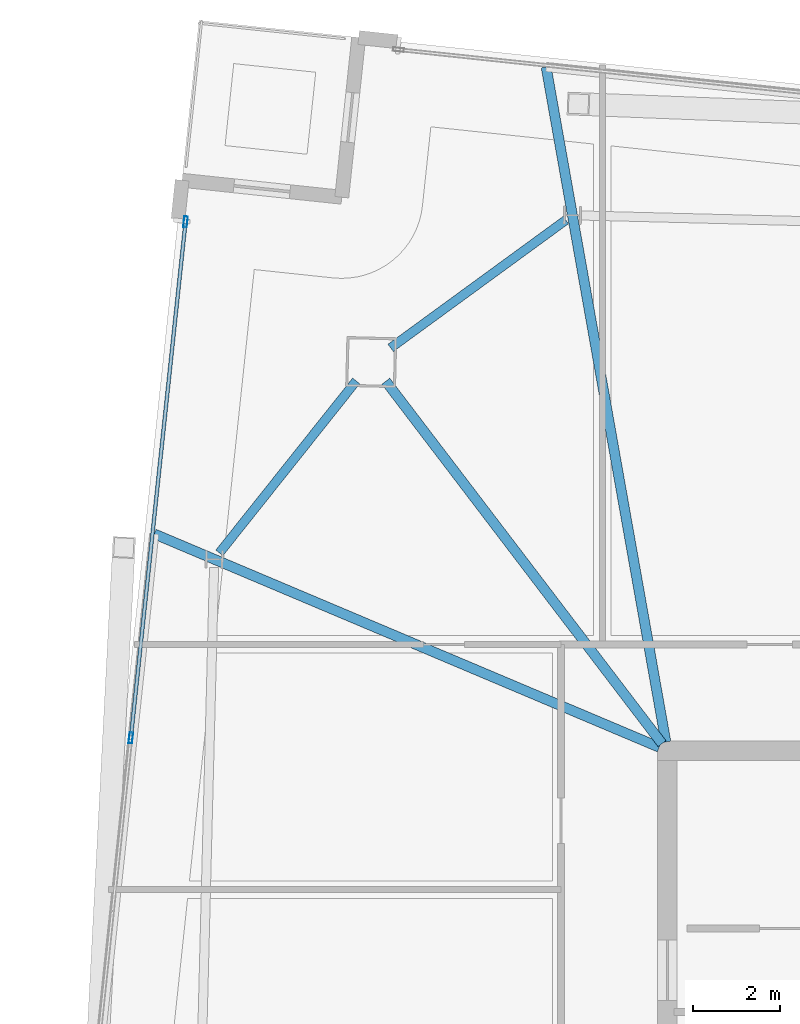
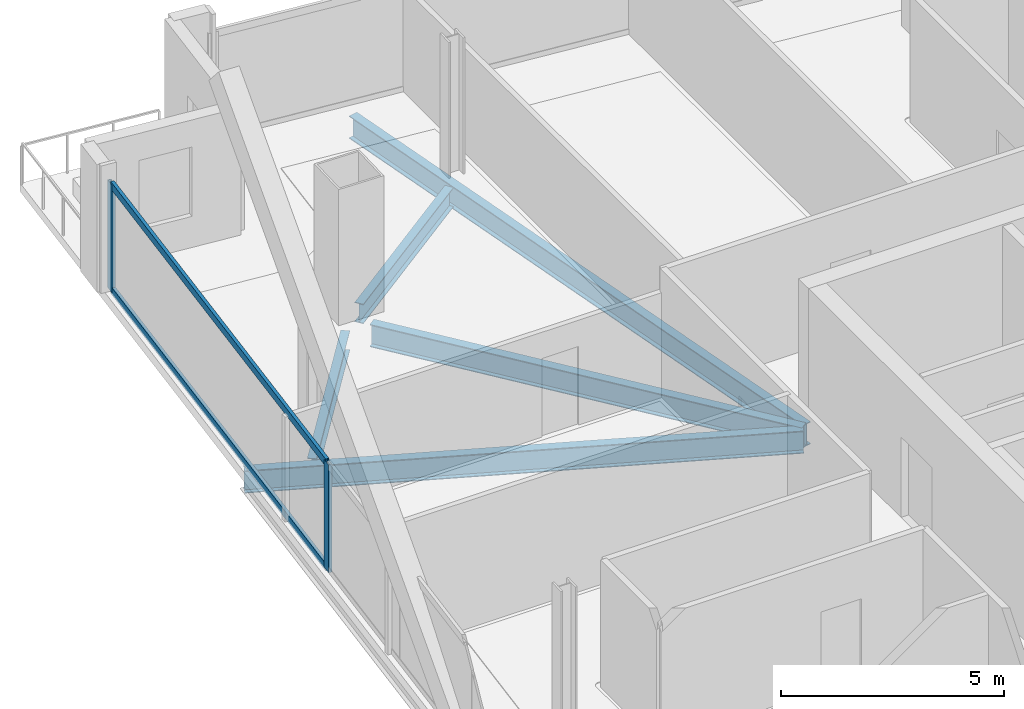
# One storey, part 12 of 24: 5 beams, 4 members, 1 element without a shape of its own.
"""IFC4 building model written with IfcOpenShell, lengths in metres."""

from ifc_helpers import new_model, si_unit, direction, frame, origin, origin_2d, place, context, subcontext, project, spatial, hollow_rectangle, i_section, extrude, material, material_profile, profile_set, type_object, element, aggregate, save


model = new_model("IFC4")

# Units and contexts
model_context = context("Model", 3, precision=1e-05, world=origin(), true_north=direction((0.0, 1.0)))
body_context = subcontext(model_context, "Body", "Model", "MODEL_VIEW")
ifc_project = project(units=[si_unit("LENGTHUNIT", "METRE"), si_unit("AREAUNIT", "SQUARE_METRE"), si_unit("VOLUMEUNIT", "CUBIC_METRE"), si_unit("PLANEANGLEUNIT", "RADIAN"), si_unit("MASSUNIT", "GRAM", prefix="KILO")], contexts=[model_context])

# Site, building, storey
site_placement = place(None, origin())
site = spatial("IfcSite", under=ifc_project, at=site_placement, CompositionType="ELEMENT")
building_placement = place(site_placement, origin())
building = spatial("IfcBuilding", under=site, at=building_placement, Name="Haldenkirk Collegiate Tower", CompositionType="ELEMENT")
storey_placement = place(building_placement, frame((0.0, 0.0, 310.199951171875)))
storey = spatial("IfcBuildingStorey", under=building, at=storey_placement, Name="L78", CompositionType="ELEMENT", Elevation=310.199951171875)

# Beams
ifc_material_1 = material(Name="Steel ASTM A992 Grade 50", Category="steel")
ifc_material_profile_1 = material_profile(ifc_material_1, i_section(OverallWidth=0.22998046875, OverallDepth=0.616943359375, WebThickness=0.01318359375, FlangeThickness=0.022216796875, at=origin_2d()), Name="W24X94")
ifc_profile_set_1 = profile_set([ifc_material_profile_1], Name="Steel ASTM A992 Grade 50")
beam_type_1 = type_object("IfcBeamType", Name="BM-GIRDER-W24X94", PredefinedType="BEAM", material=ifc_profile_set_1)
beam_1_placement = place(storey_placement, frame((20.510498046875, 42.514404296875, -0.568359375), z_axis=(0.606183308444, -0.79532496287, 0.0), x_axis=(0.79532496287, 0.606183308444, 0.0)))
element("IfcBeam", 1, at=beam_1_placement, inside=storey, type_object=beam_type_1, Name="L78 primary floor girder 03", PredefinedType="BEAM", context=body_context, shape_type="SweptSolid", body=[
    extrude(i_section(OverallWidth=0.22998046875, OverallDepth=0.616943359375, WebThickness=0.01318359375, FlangeThickness=0.022216796875, at=origin_2d()), origin(), (0.0, 0.0, 1.0), 10.50048828125),
])
beam_2_placement = place(storey_placement, frame((24.205078125, 49.755615234375, -0.568359375), z_axis=(0.174660773819, -0.984628668123, 0.0), x_axis=(0.984628668123, 0.174660773819, 0.0)))
element("IfcBeam", 2, at=beam_2_placement, inside=storey, type_object=beam_type_1, Name="L78 primary floor girder 10", PredefinedType="BEAM", context=body_context, shape_type="SweptSolid", body=[
    extrude(i_section(OverallWidth=0.22998046875, OverallDepth=0.616943359375, WebThickness=0.01318359375, FlangeThickness=0.022216796875, at=origin_2d()), origin(), (0.0, 0.0, 1.0), 15.796630859375),
])
beam_3_placement = place(storey_placement, frame((15.173828125, 38.99658203125, -0.568359375), z_axis=(0.921159975073, -0.389184147062, 0.0), x_axis=(0.389184147062, 0.921159975073, 0.0)))
element("IfcBeam", 3, at=beam_3_placement, inside=storey, type_object=beam_type_1, Name="L78 primary floor girder 11", PredefinedType="BEAM", context=body_context, shape_type="SweptSolid", body=[
    extrude(i_section(OverallWidth=0.22998046875, OverallDepth=0.616943359375, WebThickness=0.01318359375, FlangeThickness=0.022216796875, at=origin_2d()), origin(), (0.0, 0.0, 1.0), 12.633544921875),
])
ifc_material_profile_2 = material_profile(ifc_material_1, i_section(OverallWidth=0.2099609375, OverallDepth=0.537109375, WebThickness=0.010986328125, FlangeThickness=0.017333984375, at=origin_2d()), Name="W21X68")
ifc_profile_set_2 = profile_set([ifc_material_profile_2], Name="Steel ASTM A992 Grade 50")
beam_type_2 = type_object("IfcBeamType", Name="BM-SPANDREL-W21X68", PredefinedType="SPANDREL", material=ifc_profile_set_2)
beam_4_placement = place(storey_placement, frame((24.6591796875, 46.228759765625, -0.528564453125), z_axis=(-0.807792834001, -0.589466485338, 0.0), x_axis=(0.589466485338, -0.807792834001, 0.0)))
element("IfcBeam", 4, at=beam_4_placement, inside=storey, type_object=beam_type_2, Name="L78 perimeter spandrel beam 08", PredefinedType="SPANDREL", context=body_context, shape_type="SweptSolid", body=[
    extrude(i_section(OverallWidth=0.2099609375, OverallDepth=0.537109375, WebThickness=0.010986328125, FlangeThickness=0.017333984375, at=origin_2d()), origin(), (0.0, 0.0, 1.0), 4.997314453125),
])
beam_5_placement = place(storey_placement, frame((19.828369140625, 42.521484375, -0.528564453125), z_axis=(-0.622694005585, -0.782465446783, 0.0), x_axis=(0.782465446783, -0.622694005585, 0.0)))
element("IfcBeam", 5, at=beam_5_placement, inside=storey, type_object=beam_type_2, Name="L78 perimeter spandrel beam 09", PredefinedType="SPANDREL", context=body_context, shape_type="SweptSolid", body=[
    extrude(i_section(OverallWidth=0.2099609375, OverallDepth=0.537109375, WebThickness=0.010986328125, FlangeThickness=0.017333984375, at=origin_2d()), origin(), (0.0, 0.0, 1.0), 5.06396484375),
])

# Curtain wall, members
ifc_material_2 = material(Name="Anodised architectural bronze aluminium", Category="aluminium")
curtain_wall_type = type_object("IfcCurtainWallType", Name="CW-SYS1B-CONVEX-HI", PredefinedType="USERDEFINED", material=ifc_material_2)
curtain_wall_placement = place(storey_placement, origin())
curtain_wall = element("IfcCurtainWall", 6, at=curtain_wall_placement, inside=storey, type_object=curtain_wall_type, Name="L78 Upper tower high-wind convex bronze unitised curtain wall", ObjectType="UNITISED CURTAIN WALL", PredefinedType="USERDEFINED")
ifc_material_profile_3 = material_profile(ifc_material_2, hollow_rectangle(XDim=0.0849609375, YDim=0.25, WallThickness=0.0048828125, at=origin_2d()), Name="CW-MUL-1B")
ifc_profile_set_3 = profile_set([ifc_material_profile_3], Name="Anodised architectural bronze aluminium")
member_type_1 = type_object("IfcMemberType", Name="CW-MUL-1B", PredefinedType="MULLION", material=ifc_profile_set_3)
member_1_placement = place(storey_placement, frame((14.635498046875, 34.2978515625, 0.0), z_axis=(0.0, 0.0, 1.0), x_axis=(-0.994430496515, 0.105394438184, 0.0)))
member_1 = element("IfcMember", 7, at=member_1_placement, type_object=member_type_1, Name="CW-1B mullion 3", PredefinedType="MULLION", context=body_context, shape_type="SweptSolid", body=[
    extrude(hollow_rectangle(XDim=0.0849609375, YDim=0.25, WallThickness=0.0048828125, at=origin_2d()), origin(), (0.0, 0.0, 1.0), 2.947998046875),
])
member_2_placement = place(storey_placement, frame((15.895751953125, 46.188720703125, 0.0), z_axis=(0.0, 0.0, 1.0), x_axis=(-0.994430496515, 0.105394438184, 0.0)))
member_2 = element("IfcMember", 8, at=member_2_placement, type_object=member_type_1, Name="CW-1B mullion 4", PredefinedType="MULLION", context=body_context, shape_type="SweptSolid", body=[
    extrude(hollow_rectangle(XDim=0.0849609375, YDim=0.25, WallThickness=0.0048828125, at=origin_2d()), origin(), (0.0, 0.0, 1.0), 2.947998046875),
])
ifc_material_profile_4 = material_profile(ifc_material_2, hollow_rectangle(XDim=0.0849609375, YDim=0.199951171875, WallThickness=0.0048828125, at=origin_2d()), Name="CW-TRN-1B")
ifc_profile_set_4 = profile_set([ifc_material_profile_4], Name="Anodised architectural bronze aluminium")
member_type_2 = type_object("IfcMemberType", Name="CW-TRN-1B", PredefinedType="USERDEFINED", material=ifc_profile_set_4)
member_3_placement = place(storey_placement, frame((14.64013671875, 34.340087890625, 0.04248046875), z_axis=(0.105388030665, 0.994431175594, 0.0), x_axis=(-0.994431175594, 0.105388030665, 0.0)))
member_3 = element("IfcMember", 9, at=member_3_placement, type_object=member_type_2, Name="CW-1B transom 3.1", ObjectType="TRANSOM", PredefinedType="USERDEFINED", context=body_context, shape_type="SweptSolid", body=[
    extrude(hollow_rectangle(XDim=0.0849609375, YDim=0.199951171875, WallThickness=0.0048828125, at=origin_2d()), origin(), (0.0, 0.0, 1.0), 11.87255859375),
])
member_4_placement = place(storey_placement, frame((14.64013671875, 34.340087890625, 2.905517578125), z_axis=(0.105388030665, 0.994431175594, 0.0), x_axis=(-0.994431175594, 0.105388030665, 0.0)))
member_4 = element("IfcMember", 10, at=member_4_placement, type_object=member_type_2, Name="CW-1B transom 3.2", ObjectType="TRANSOM", PredefinedType="USERDEFINED", context=body_context, shape_type="SweptSolid", body=[
    extrude(hollow_rectangle(XDim=0.0849609375, YDim=0.199951171875, WallThickness=0.0048828125, at=origin_2d()), origin(), (0.0, 0.0, 1.0), 11.87255859375),
])
aggregate(curtain_wall, [member_1, member_2, member_3, member_4])

save(model, "model.ifc")
